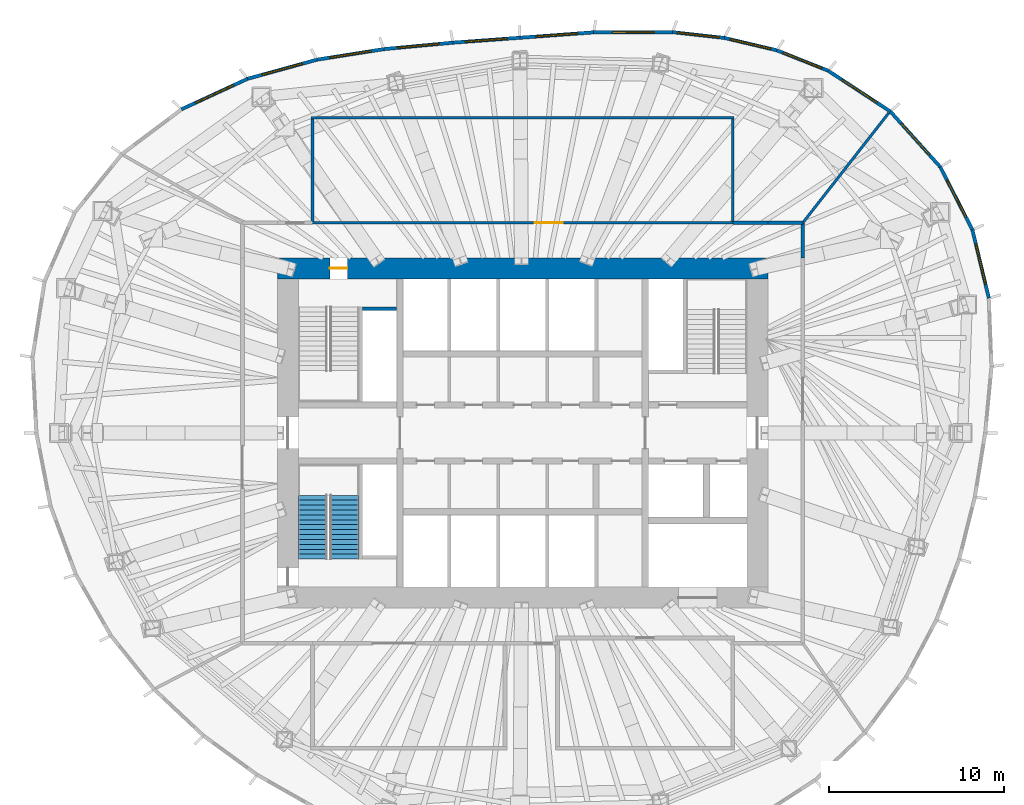
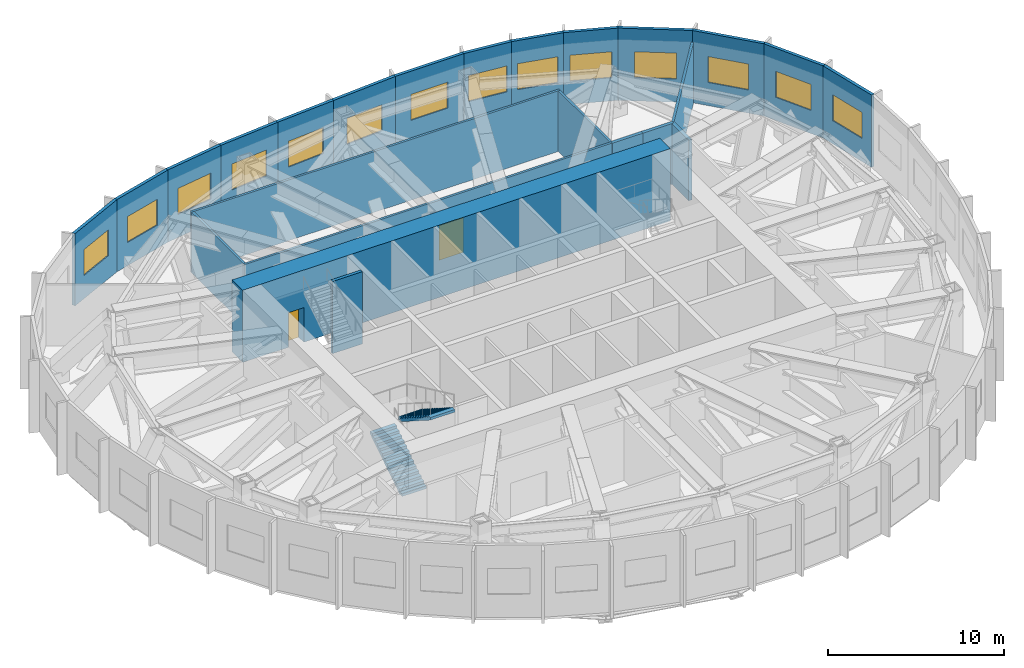
# One storey, part 9 of 11: 24 walls, 14 windows, 2 doors, 2 stair flights, 16 openings, 1 element without a shape of its own.
"""IFC4 building model written with IfcOpenShell, lengths in metres."""

from ifc_helpers import new_model, si_unit, direction, frame, frame_2d, origin, place, context, subcontext, project, spatial, polyline, rectangle, outline, extrude, material, layer, layer_set, type_object, element, fill, aggregate, save


model = new_model("IFC4")

# Units and contexts
model_context = context("Model", 3, precision=1e-05, world=origin(), true_north=direction((0.0, 1.0)))
body_context = subcontext(model_context, "Body", "Model", "MODEL_VIEW")
ifc_project = project(units=[si_unit("LENGTHUNIT", "METRE"), si_unit("AREAUNIT", "SQUARE_METRE"), si_unit("VOLUMEUNIT", "CUBIC_METRE"), si_unit("PLANEANGLEUNIT", "RADIAN"), si_unit("MASSUNIT", "GRAM", prefix="KILO")], contexts=[model_context])

# Site, building, storey
site_placement = place(None, origin())
site = spatial("IfcSite", under=ifc_project, at=site_placement, CompositionType="ELEMENT")
building_placement = place(site_placement, origin())
building = spatial("IfcBuilding", under=site, at=building_placement, Name="Ghaith Harvest Tower", CompositionType="ELEMENT")
storey_placement = place(building_placement, frame((0.0, 0.0, 266.199951171875)))
storey = spatial("IfcBuildingStorey", under=building, at=storey_placement, Name="L59", CompositionType="ELEMENT", Elevation=266.199951171875)

# Walls
ifc_material_1 = material(Name="Concrete blockwork, 1-hour", Category="masonry")
ifc_layer_1 = layer(ifc_material_1, 0.215087890625)
ifc_layer_set_1 = layer_set([ifc_layer_1], Name="BLOCKWORK WALL 215")
wall_type_1 = type_object("IfcWallType", Name="BLOCKWORK WALL 215", PredefinedType="PARTITIONING", material=ifc_layer_set_1)
for number, where, z_axis, x_axis, name in (
    (1, (16.0, 12.0, 0.0), (0.0, 0.0, 1.0), (-1.0, 0.0, 0.0), "Plant room wall L59"),
    (2, (14.0, 12.0, 0.0), (0.0, 0.0, 1.0), (-1.0, 0.0, 0.0), "Plant room wall L59"),
    (3, (16.0, 10.0, 0.0), (0.0, 0.0, 1.0), (0.0, 1.0, 0.0), "Plant room wall L59"),
):
    element("IfcWall", number, at=place(storey_placement, frame(where, z_axis=z_axis, x_axis=x_axis)), inside=storey, type_object=wall_type_1, Name=name, PredefinedType="PARTITIONING", context=body_context, shape_type="SweptSolid", body=[
        extrude(rectangle(XDim=2.0, YDim=0.215087890625, at=frame_2d((1.0, 0.0))), origin(), (0.0, 0.0, 1.0), 4.199951171875),
    ])

# Wall, opening, door
ifc_material_2 = material(Name="Concrete C60/75", Category="concrete")
ifc_layer_2 = layer(ifc_material_2, 1.199951171875)
ifc_layer_set_2 = layer_set([ifc_layer_2], Name="CORE WALL CW1200 C60")
wall_type_2 = type_object("IfcWallType", Name="CORE WALL CW1200 C60", PredefinedType="SHEAR", material=ifc_layer_set_2)
wall_1_placement = place(storey_placement, frame((14.0, 9.39990234375, 0.0), z_axis=(0.0, 0.0, 1.0), x_axis=(-1.0, 0.0, 0.0)))
wall_1 = element("IfcWall", 4, at=wall_1_placement, inside=storey, type_object=wall_type_2, Name="Core wall N L59", PredefinedType="SHEAR", context=body_context, shape_type="SweptSolid", body=[
    extrude(rectangle(XDim=28.0, YDim=1.199951171875, at=frame_2d((14.0, 0.0))), origin(), (0.0, 0.0, 1.0), 5.0),
])
opening_1_placement = place(wall_1_placement, frame((24.0, 0.0, 0.0)))
opening_1 = element("IfcOpeningElement", 5, at=opening_1_placement, cuts=wall_1, Name="Opening 59-005", PredefinedType="OPENING", context=body_context, shape_type="SweptSolid", body=[
    extrude(rectangle(XDim=1.0, YDim=2.39990234375, at=frame_2d((0.5, 1.199951171875))), frame((0.0, 0.60986328125, 0.0), z_axis=(0.0, -1.0, 0.0), x_axis=(1.0, 0.0, 0.0)), (0.0, 0.0, 1.0), 1.219970703125),
])
ifc_material_3 = material(Name="Steel fire door", Category="steel")
door_type_1 = type_object("IfcDoorType", Name="D3 FD90 1000x2400", OperationType="SINGLE_SWING_LEFT", PredefinedType="DOOR", material=ifc_material_3)
door_1_placement = place(opening_1_placement, origin())
door_1 = element("IfcDoor", 6, at=door_1_placement, inside=storey, type_object=door_type_1, Name="Stair ST1 door", OperationType="SINGLE_SWING_RIGHT", OverallHeight=2.39990234375, OverallWidth=1.0, PredefinedType="DOOR", context=body_context, shape_type="SweptSolid", body=[
    extrude(rectangle(XDim=1.0, YDim=2.39990234375, at=frame_2d((0.5, 1.199951171875))), frame((0.0, 0.02490234375, 0.0), z_axis=(0.0, -1.0, 0.0), x_axis=(1.0, 0.0, 0.0)), (0.0, 0.0, 1.0), 0.050048828125),
])
fill(opening_1, door_1)

# Wall
ifc_material_4 = material(Name="Gypsum board on steel studs", Category="steel")
ifc_layer_3 = layer(ifc_material_4, 0.14990234375)
ifc_layer_set_3 = layer_set([ifc_layer_3], Name="PARTITION 150")
wall_type_3 = type_object("IfcWallType", Name="PARTITION 150", PredefinedType="PARTITIONING", material=ifc_layer_set_3)
wall_2_placement = place(storey_placement, frame((16.01220703125, 12.015625, 0.0), z_axis=(0.0, 0.0, 1.0), x_axis=(0.616030058222, 0.787722646219, 0.0)))
element("IfcWall", 7, at=wall_2_placement, inside=storey, type_object=wall_type_3, Name="Partition L59 zone division", PredefinedType="PARTITIONING", context=body_context, shape_type="SweptSolid", body=[
    extrude(rectangle(XDim=7.95166015625, YDim=0.14990234375, at=frame_2d((3.975830078125, 0.0))), origin(), (0.0, 0.0, 1.0), 4.199951171875),
])

# Wall, opening, door
wall_3_placement = place(storey_placement, frame((-12.074951171875, 12.0, 0.0), z_axis=(0.0, 0.0, 1.0), x_axis=(1.0, 0.0, 0.0)))
wall_3 = element("IfcWall", 8, at=wall_3_placement, inside=storey, type_object=wall_type_3, Name="Partition L59-01", PredefinedType="PARTITIONING", context=body_context, shape_type="SweptSolid", body=[
    extrude(rectangle(XDim=24.14990234375, YDim=0.14990234375, at=frame_2d((12.074951171875, 0.0))), origin(), (0.0, 0.0, 1.0), 4.199951171875),
])
opening_2_placement = place(wall_3_placement, frame((12.77490234375, 0.0, 0.0)))
opening_2 = element("IfcOpeningElement", 9, at=opening_2_placement, cuts=wall_3, Name="Opening 59-021", PredefinedType="OPENING", context=body_context, shape_type="SweptSolid", body=[
    extrude(rectangle(XDim=1.60009765625, YDim=2.39990234375, at=frame_2d((0.800048828125, 1.199951171875))), frame((0.0, 0.0849609375, 0.0), z_axis=(0.0, -1.0, 0.0), x_axis=(1.0, 0.0, 0.0)), (0.0, 0.0, 1.0), 0.169921875),
])
ifc_material_5 = material(Name="Timber door", Category="wood")
door_type_2 = type_object("IfcDoorType", Name="D2 PAIR 1600x2400", OperationType="DOUBLE_DOOR_SINGLE_SWING", PredefinedType="DOOR", material=ifc_material_5)
door_2_placement = place(opening_2_placement, origin())
door_2 = element("IfcDoor", 10, at=door_2_placement, inside=storey, type_object=door_type_2, Name="Refuge area door", OperationType="DOUBLE_DOOR_SINGLE_SWING", OverallHeight=2.39990234375, OverallWidth=1.60009765625, PredefinedType="DOOR", context=body_context, shape_type="SweptSolid", body=[
    extrude(rectangle(XDim=1.60009765625, YDim=2.39990234375, at=frame_2d((0.800048828125, 1.199951171875))), frame((0.0, 0.02490234375, 0.0), z_axis=(0.0, -1.0, 0.0), x_axis=(1.0, 0.0, 0.0)), (0.0, 0.0, 1.0), 0.050048828125),
])
fill(opening_2, door_2)

# Walls
wall_4_placement = place(storey_placement, frame((-12.074951171875, 18.0, 0.0), z_axis=(0.0, 0.0, 1.0), x_axis=(1.0, 0.0, 0.0)))
element("IfcWall", 11, at=wall_4_placement, inside=storey, type_object=wall_type_3, Name="Partition L59-01", PredefinedType="PARTITIONING", context=body_context, shape_type="SweptSolid", body=[
    extrude(rectangle(XDim=24.14990234375, YDim=0.14990234375, at=frame_2d((12.074951171875, 0.0))), origin(), (0.0, 0.0, 1.0), 4.199951171875),
])
for number, where, z_axis, x_axis, name in (
    (12, (-12.0, 12.074951171875, 0.0), (0.0, 0.0, 1.0), (0.0, 1.0, 0.0), "Partition L59-01"),
    (13, (12.0, 12.074951171875, 0.0), (0.0, 0.0, 1.0), (0.0, 1.0, 0.0), "Partition L59-01"),
):
    element("IfcWall", number, at=place(storey_placement, frame(where, z_axis=z_axis, x_axis=x_axis)), inside=storey, type_object=wall_type_3, Name=name, PredefinedType="PARTITIONING", context=body_context, shape_type="SweptSolid", body=[
        extrude(rectangle(XDim=5.85009765625, YDim=0.14990234375, at=frame_2d((2.925048828125, 0.0))), origin(), (0.0, 0.0, 1.0), 4.199951171875),
    ])

# Wall, opening, window
ifc_material_6 = material(Name="Steel, black insulated metal cladding panel", Category="steel")
ifc_layer_4 = layer(ifc_material_6, 0.199951171875)
ifc_layer_set_4 = layer_set([ifc_layer_4], Name="PLANT ENCLOSURE WALL 200")
wall_type_4 = type_object("IfcWallType", Name="PLANT ENCLOSURE WALL 200", PredefinedType="SOLIDWALL", material=ifc_layer_set_4)
wall_5_placement = place(storey_placement, frame((26.627197265625, 7.69580078125, 0.0), z_axis=(0.0, 0.0, 1.0), x_axis=(-0.233821660116, 0.972279502643, 0.0)))
wall_5 = element("IfcWall", 14, at=wall_5_placement, inside=storey, type_object=wall_type_4, Name="Plant enclosure wall 02.1 L59", PredefinedType="SOLIDWALL", context=body_context, shape_type="SweptSolid", body=[
    extrude(rectangle(XDim=4.0126953125, YDim=0.199951171875, at=frame_2d((2.00634765625, 0.0))), origin(), (0.0, 0.0, 1.0), 5.0),
])
opening_3_placement = place(wall_5_placement, frame((0.806396484375, 0.0, 1.60009765625)))
opening_3 = element("IfcOpeningElement", 15, at=opening_3_placement, cuts=wall_5, Name="Opening LV1", PredefinedType="OPENING", context=body_context, shape_type="SweptSolid", body=[
    extrude(rectangle(XDim=2.39990234375, YDim=1.800048828125, at=frame_2d((1.199951171875, 0.89990234375))), frame((0.0, 0.10986328125, 0.0), z_axis=(0.0, -1.0, 0.0), x_axis=(1.0, 0.0, 0.0)), (0.0, 0.0, 1.0), 0.219970703125),
])
ifc_material_7 = material(Name="Aluminium louvre, black", Category="aluminium")
window_type = type_object("IfcWindowType", Name="LOUVRE L1 2400x1800", PartitioningType="SINGLE_PANEL", PredefinedType="WINDOW", material=ifc_material_7)
window_1_placement = place(opening_3_placement, origin())
window_1 = element("IfcWindow", 16, at=window_1_placement, inside=storey, type_object=window_type, Name="Plant louvre 02.1 L59", OverallHeight=1.800048828125, OverallWidth=2.39990234375, PartitioningType="SINGLE_PANEL", PredefinedType="WINDOW", context=body_context, shape_type="SweptSolid", body=[
    extrude(rectangle(XDim=2.39990234375, YDim=1.800048828125, at=frame_2d((1.199951171875, 0.89990234375))), frame((0.0, 0.030029296875, 0.0), z_axis=(0.0, -1.0, 0.0), x_axis=(1.0, 0.0, 0.0)), (0.0, 0.0, 1.0), 0.06005859375),
])
fill(opening_3, window_1)

wall_6_placement = place(storey_placement, frame((25.68896484375, 11.59716796875, 0.0), z_axis=(0.0, 0.0, 1.0), x_axis=(-0.454861059602, 0.890562415813, 0.0)))
wall_6 = element("IfcWall", 17, at=wall_6_placement, inside=storey, type_object=wall_type_4, Name="Plant enclosure wall 02.2 L59", PredefinedType="SOLIDWALL", context=body_context, shape_type="SweptSolid", body=[
    extrude(rectangle(XDim=4.026611328125, YDim=0.199951171875, at=frame_2d((2.01318359375, 0.0))), origin(), (0.0, 0.0, 1.0), 5.0),
])
opening_4_placement = place(wall_6_placement, frame((0.813232421875, 0.0, 1.60009765625)))
opening_4 = element("IfcOpeningElement", 18, at=opening_4_placement, cuts=wall_6, Name="Opening LV1", PredefinedType="OPENING", context=body_context, shape_type="SweptSolid", body=[
    extrude(rectangle(XDim=2.39990234375, YDim=1.800048828125, at=frame_2d((1.199951171875, 0.89990234375))), frame((0.0, 0.10986328125, 0.0), z_axis=(0.0, -1.0, 0.0), x_axis=(1.0, 0.0, 0.0)), (0.0, 0.0, 1.0), 0.219970703125),
])
window_2_placement = place(opening_4_placement, origin())
window_2 = element("IfcWindow", 19, at=window_2_placement, inside=storey, type_object=window_type, Name="Plant louvre 02.2 L59", OverallHeight=1.800048828125, OverallWidth=2.39990234375, PartitioningType="SINGLE_PANEL", PredefinedType="WINDOW", context=body_context, shape_type="SweptSolid", body=[
    extrude(rectangle(XDim=2.39990234375, YDim=1.800048828125, at=frame_2d((1.199951171875, 0.89990234375))), frame((0.0, 0.030029296875, 0.0), z_axis=(0.0, -1.0, 0.0), x_axis=(1.0, 0.0, 0.0)), (0.0, 0.0, 1.0), 0.06005859375),
])
fill(opening_4, window_2)

wall_7_placement = place(storey_placement, frame((23.857421875, 15.18310546875, 0.0), z_axis=(0.0, 0.0, 1.0), x_axis=(-0.668829041981, 0.743416244511, 0.0)))
wall_7 = element("IfcWall", 20, at=wall_7_placement, inside=storey, type_object=wall_type_4, Name="Plant enclosure wall 03.1 L59", PredefinedType="SOLIDWALL", context=body_context, shape_type="SweptSolid", body=[
    extrude(rectangle(XDim=4.27490234375, YDim=0.199951171875, at=frame_2d((2.137451171875, 0.0))), origin(), (0.0, 0.0, 1.0), 5.0),
])
opening_5_placement = place(wall_7_placement, frame((0.9375, 0.0, 1.60009765625)))
opening_5 = element("IfcOpeningElement", 21, at=opening_5_placement, cuts=wall_7, Name="Opening LV1", PredefinedType="OPENING", context=body_context, shape_type="SweptSolid", body=[
    extrude(rectangle(XDim=2.39990234375, YDim=1.800048828125, at=frame_2d((1.199951171875, 0.89990234375))), frame((0.0, 0.10986328125, 0.0), z_axis=(0.0, -1.0, 0.0), x_axis=(1.0, 0.0, 0.0)), (0.0, 0.0, 1.0), 0.219970703125),
])
window_3_placement = place(opening_5_placement, origin())
window_3 = element("IfcWindow", 22, at=window_3_placement, inside=storey, type_object=window_type, Name="Plant louvre 03.1 L59", OverallHeight=1.800048828125, OverallWidth=2.39990234375, PartitioningType="SINGLE_PANEL", PredefinedType="WINDOW", context=body_context, shape_type="SweptSolid", body=[
    extrude(rectangle(XDim=2.39990234375, YDim=1.800048828125, at=frame_2d((1.199951171875, 0.89990234375))), frame((0.0, 0.030029296875, 0.0), z_axis=(0.0, -1.0, 0.0), x_axis=(1.0, 0.0, 0.0)), (0.0, 0.0, 1.0), 0.06005859375),
])
fill(opening_5, window_3)

wall_8_placement = place(storey_placement, frame((20.998291015625, 18.361083984375, 0.0), z_axis=(0.0, 0.0, 1.0), x_axis=(-0.836341158718, 0.548209327023, 0.0)))
wall_8 = element("IfcWall", 23, at=wall_8_placement, inside=storey, type_object=wall_type_4, Name="Plant enclosure wall 03.2 L59", PredefinedType="SOLIDWALL", context=body_context, shape_type="SweptSolid", body=[
    extrude(rectangle(XDim=4.246826171875, YDim=0.199951171875, at=frame_2d((2.12353515625, 0.0))), origin(), (0.0, 0.0, 1.0), 5.0),
])
opening_6_placement = place(wall_8_placement, frame((0.92333984375, 0.0, 1.60009765625)))
opening_6 = element("IfcOpeningElement", 24, at=opening_6_placement, cuts=wall_8, Name="Opening LV1", PredefinedType="OPENING", context=body_context, shape_type="SweptSolid", body=[
    extrude(rectangle(XDim=2.39990234375, YDim=1.800048828125, at=frame_2d((1.199951171875, 0.89990234375))), frame((0.0, 0.10986328125, 0.0), z_axis=(0.0, -1.0, 0.0), x_axis=(1.0, 0.0, 0.0)), (0.0, 0.0, 1.0), 0.219970703125),
])
window_4_placement = place(opening_6_placement, origin())
window_4 = element("IfcWindow", 25, at=window_4_placement, inside=storey, type_object=window_type, Name="Plant louvre 03.2 L59", OverallHeight=1.800048828125, OverallWidth=2.39990234375, PartitioningType="SINGLE_PANEL", PredefinedType="WINDOW", context=body_context, shape_type="SweptSolid", body=[
    extrude(rectangle(XDim=2.39990234375, YDim=1.800048828125, at=frame_2d((1.199951171875, 0.89990234375))), frame((0.0, 0.030029296875, 0.0), z_axis=(0.0, -1.0, 0.0), x_axis=(1.0, 0.0, 0.0)), (0.0, 0.0, 1.0), 0.06005859375),
])
fill(opening_6, window_4)

wall_9_placement = place(storey_placement, frame((17.446533203125, 20.689208984375, 0.0), z_axis=(0.0, 0.0, 1.0), x_axis=(-0.929201006975, 0.369574740257, 0.0)))
wall_9 = element("IfcWall", 26, at=wall_9_placement, inside=storey, type_object=wall_type_4, Name="Plant enclosure wall 04.1 L59", PredefinedType="SOLIDWALL", context=body_context, shape_type="SweptSolid", body=[
    extrude(rectangle(XDim=3.15380859375, YDim=0.199951171875, at=frame_2d((1.576904296875, 0.0))), origin(), (0.0, 0.0, 1.0), 5.0),
])
opening_7_placement = place(wall_9_placement, frame((0.376708984375, 0.0, 1.60009765625)))
opening_7 = element("IfcOpeningElement", 27, at=opening_7_placement, cuts=wall_9, Name="Opening LV1", PredefinedType="OPENING", context=body_context, shape_type="SweptSolid", body=[
    extrude(rectangle(XDim=2.39990234375, YDim=1.800048828125, at=frame_2d((1.199951171875, 0.89990234375))), frame((0.0, 0.10986328125, 0.0), z_axis=(0.0, -1.0, 0.0), x_axis=(1.0, 0.0, 0.0)), (0.0, 0.0, 1.0), 0.219970703125),
])
window_5_placement = place(opening_7_placement, origin())
window_5 = element("IfcWindow", 28, at=window_5_placement, inside=storey, type_object=window_type, Name="Plant louvre 04.1 L59", OverallHeight=1.800048828125, OverallWidth=2.39990234375, PartitioningType="SINGLE_PANEL", PredefinedType="WINDOW", context=body_context, shape_type="SweptSolid", body=[
    extrude(rectangle(XDim=2.39990234375, YDim=1.800048828125, at=frame_2d((1.199951171875, 0.89990234375))), frame((0.0, 0.030029296875, 0.0), z_axis=(0.0, -1.0, 0.0), x_axis=(1.0, 0.0, 0.0)), (0.0, 0.0, 1.0), 0.06005859375),
])
fill(opening_7, window_5)

wall_10_placement = place(storey_placement, frame((14.51611328125, 21.854736328125, 0.0), z_axis=(0.0, 0.0, 1.0), x_axis=(-0.973318327134, 0.229459003017, 0.0)))
wall_10 = element("IfcWall", 29, at=wall_10_placement, inside=storey, type_object=wall_type_4, Name="Plant enclosure wall 04.2 L59", PredefinedType="SOLIDWALL", context=body_context, shape_type="SweptSolid", body=[
    extrude(rectangle(XDim=3.080322265625, YDim=0.199951171875, at=frame_2d((1.5400390625, 0.0))), origin(), (0.0, 0.0, 1.0), 5.0),
])
opening_8_placement = place(wall_10_placement, frame((0.340087890625, 0.0, 1.60009765625)))
opening_8 = element("IfcOpeningElement", 30, at=opening_8_placement, cuts=wall_10, Name="Opening LV1", PredefinedType="OPENING", context=body_context, shape_type="SweptSolid", body=[
    extrude(rectangle(XDim=2.39990234375, YDim=1.800048828125, at=frame_2d((1.199951171875, 0.89990234375))), frame((0.0, 0.10986328125, 0.0), z_axis=(0.0, -1.0, 0.0), x_axis=(1.0, 0.0, 0.0)), (0.0, 0.0, 1.0), 0.219970703125),
])
window_6_placement = place(opening_8_placement, origin())
window_6 = element("IfcWindow", 31, at=window_6_placement, inside=storey, type_object=window_type, Name="Plant louvre 04.2 L59", OverallHeight=1.800048828125, OverallWidth=2.39990234375, PartitioningType="SINGLE_PANEL", PredefinedType="WINDOW", context=body_context, shape_type="SweptSolid", body=[
    extrude(rectangle(XDim=2.39990234375, YDim=1.800048828125, at=frame_2d((1.199951171875, 0.89990234375))), frame((0.0, 0.030029296875, 0.0), z_axis=(0.0, -1.0, 0.0), x_axis=(1.0, 0.0, 0.0)), (0.0, 0.0, 1.0), 0.06005859375),
])
fill(opening_8, window_6)

wall_11_placement = place(storey_placement, frame((11.51806640625, 22.5615234375, 0.0), z_axis=(0.0, 0.0, 1.0), x_axis=(-0.993887731905, 0.110395545055, 0.0)))
wall_11 = element("IfcWall", 32, at=wall_11_placement, inside=storey, type_object=wall_type_4, Name="Plant enclosure wall 04.3 L59", PredefinedType="SOLIDWALL", context=body_context, shape_type="SweptSolid", body=[
    extrude(rectangle(XDim=2.97900390625, YDim=0.199951171875, at=frame_2d((1.489501953125, 0.0))), origin(), (0.0, 0.0, 1.0), 5.0),
])
opening_9_placement = place(wall_11_placement, frame((0.28955078125, 0.0, 1.60009765625)))
opening_9 = element("IfcOpeningElement", 33, at=opening_9_placement, cuts=wall_11, Name="Opening LV1", PredefinedType="OPENING", context=body_context, shape_type="SweptSolid", body=[
    extrude(rectangle(XDim=2.39990234375, YDim=1.800048828125, at=frame_2d((1.199951171875, 0.89990234375))), frame((0.0, 0.10986328125, 0.0), z_axis=(0.0, -1.0, 0.0), x_axis=(1.0, 0.0, 0.0)), (0.0, 0.0, 1.0), 0.219970703125),
])
window_7_placement = place(opening_9_placement, origin())
window_7 = element("IfcWindow", 34, at=window_7_placement, inside=storey, type_object=window_type, Name="Plant louvre 04.3 L59", OverallHeight=1.800048828125, OverallWidth=2.39990234375, PartitioningType="SINGLE_PANEL", PredefinedType="WINDOW", context=body_context, shape_type="SweptSolid", body=[
    extrude(rectangle(XDim=2.39990234375, YDim=1.800048828125, at=frame_2d((1.199951171875, 0.89990234375))), frame((0.0, 0.030029296875, 0.0), z_axis=(0.0, -1.0, 0.0), x_axis=(1.0, 0.0, 0.0)), (0.0, 0.0, 1.0), 0.06005859375),
])
fill(opening_9, window_7)

wall_12_placement = place(storey_placement, frame((8.557373046875, 22.890380859375, 0.0), z_axis=(0.0, 0.0, 1.0), x_axis=(-0.999997152617, -0.002386369168, 0.0)))
wall_12 = element("IfcWall", 35, at=wall_12_placement, inside=storey, type_object=wall_type_4, Name="Plant enclosure wall 05.1 L59", PredefinedType="SOLIDWALL", context=body_context, shape_type="SweptSolid", body=[
    extrude(rectangle(XDim=4.50146484375, YDim=0.199951171875, at=frame_2d((2.250732421875, 0.0))), origin(), (0.0, 0.0, 1.0), 5.0),
])
opening_10_placement = place(wall_12_placement, frame((1.050537109375, 0.0, 1.60009765625)))
opening_10 = element("IfcOpeningElement", 36, at=opening_10_placement, cuts=wall_12, Name="Opening LV1", PredefinedType="OPENING", context=body_context, shape_type="SweptSolid", body=[
    extrude(rectangle(XDim=2.39990234375, YDim=1.800048828125, at=frame_2d((1.199951171875, 0.89990234375))), frame((0.0, 0.10986328125, 0.0), z_axis=(0.0, -1.0, 0.0), x_axis=(1.0, 0.0, 0.0)), (0.0, 0.0, 1.0), 0.219970703125),
])
window_8_placement = place(opening_10_placement, origin())
window_8 = element("IfcWindow", 37, at=window_8_placement, inside=storey, type_object=window_type, Name="Plant louvre 05.1 L59", OverallHeight=1.800048828125, OverallWidth=2.39990234375, PartitioningType="SINGLE_PANEL", PredefinedType="WINDOW", context=body_context, shape_type="SweptSolid", body=[
    extrude(rectangle(XDim=2.39990234375, YDim=1.800048828125, at=frame_2d((1.199951171875, 0.89990234375))), frame((0.0, 0.030029296875, 0.0), z_axis=(0.0, -1.0, 0.0), x_axis=(1.0, 0.0, 0.0)), (0.0, 0.0, 1.0), 0.06005859375),
])
fill(opening_10, window_8)

wall_13_placement = place(storey_placement, frame((4.055908203125, 22.879638671875, 0.0), z_axis=(0.0, 0.0, 1.0), x_axis=(-0.997316449739, -0.073211331635, 0.0)))
wall_13 = element("IfcWall", 38, at=wall_13_placement, inside=storey, type_object=wall_type_4, Name="Plant enclosure wall 05.2 L59", PredefinedType="SOLIDWALL", context=body_context, shape_type="SweptSolid", body=[
    extrude(rectangle(XDim=4.2216796875, YDim=0.199951171875, at=frame_2d((2.11083984375, 0.0))), origin(), (0.0, 0.0, 1.0), 5.0),
])
opening_11_placement = place(wall_13_placement, frame((0.910888671875, 0.0, 1.60009765625)))
opening_11 = element("IfcOpeningElement", 39, at=opening_11_placement, cuts=wall_13, Name="Opening LV1", PredefinedType="OPENING", context=body_context, shape_type="SweptSolid", body=[
    extrude(rectangle(XDim=2.39990234375, YDim=1.800048828125, at=frame_2d((1.199951171875, 0.89990234375))), frame((0.0, 0.10986328125, 0.0), z_axis=(0.0, -1.0, 0.0), x_axis=(1.0, 0.0, 0.0)), (0.0, 0.0, 1.0), 0.219970703125),
])
window_9_placement = place(opening_11_placement, origin())
window_9 = element("IfcWindow", 40, at=window_9_placement, inside=storey, type_object=window_type, Name="Plant louvre 05.2 L59", OverallHeight=1.800048828125, OverallWidth=2.39990234375, PartitioningType="SINGLE_PANEL", PredefinedType="WINDOW", context=body_context, shape_type="SweptSolid", body=[
    extrude(rectangle(XDim=2.39990234375, YDim=1.800048828125, at=frame_2d((1.199951171875, 0.89990234375))), frame((0.0, 0.030029296875, 0.0), z_axis=(0.0, -1.0, 0.0), x_axis=(1.0, 0.0, 0.0)), (0.0, 0.0, 1.0), 0.06005859375),
])
fill(opening_11, window_9)

wall_14_placement = place(storey_placement, frame((-0.154541015625, 22.570556640625, 0.0), z_axis=(0.0, 0.0, 1.0), x_axis=(-0.997332480814, -0.072992620948, 0.0)))
wall_14 = element("IfcWall", 41, at=wall_14_placement, inside=storey, type_object=wall_type_4, Name="Plant enclosure wall 06.1 L59", PredefinedType="SOLIDWALL", context=body_context, shape_type="SweptSolid", body=[
    extrude(rectangle(XDim=3.83642578125, YDim=0.199951171875, at=frame_2d((1.918212890625, 0.0))), origin(), (0.0, 0.0, 1.0), 5.0),
])
opening_12_placement = place(wall_14_placement, frame((0.71826171875, 0.0, 1.60009765625)))
opening_12 = element("IfcOpeningElement", 42, at=opening_12_placement, cuts=wall_14, Name="Opening LV1", PredefinedType="OPENING", context=body_context, shape_type="SweptSolid", body=[
    extrude(rectangle(XDim=2.39990234375, YDim=1.800048828125, at=frame_2d((1.199951171875, 0.89990234375))), frame((0.0, 0.10986328125, 0.0), z_axis=(0.0, -1.0, 0.0), x_axis=(1.0, 0.0, 0.0)), (0.0, 0.0, 1.0), 0.219970703125),
])
window_10_placement = place(opening_12_placement, origin())
window_10 = element("IfcWindow", 43, at=window_10_placement, inside=storey, type_object=window_type, Name="Plant louvre 06.1 L59", OverallHeight=1.800048828125, OverallWidth=2.39990234375, PartitioningType="SINGLE_PANEL", PredefinedType="WINDOW", context=body_context, shape_type="SweptSolid", body=[
    extrude(rectangle(XDim=2.39990234375, YDim=1.800048828125, at=frame_2d((1.199951171875, 0.89990234375))), frame((0.0, 0.030029296875, 0.0), z_axis=(0.0, -1.0, 0.0), x_axis=(1.0, 0.0, 0.0)), (0.0, 0.0, 1.0), 0.06005859375),
])
fill(opening_12, window_10)

wall_15_placement = place(storey_placement, frame((-3.980712890625, 22.29052734375, 0.0), z_axis=(0.0, 0.0, 1.0), x_axis=(-0.995650348953, -0.093168571039, 0.0)))
wall_15 = element("IfcWall", 44, at=wall_15_placement, inside=storey, type_object=wall_type_4, Name="Plant enclosure wall 06.2 L59", PredefinedType="SOLIDWALL", context=body_context, shape_type="SweptSolid", body=[
    extrude(rectangle(XDim=3.9541015625, YDim=0.199951171875, at=frame_2d((1.97705078125, 0.0))), origin(), (0.0, 0.0, 1.0), 5.0),
])
opening_13_placement = place(wall_15_placement, frame((0.777099609375, 0.0, 1.60009765625)))
opening_13 = element("IfcOpeningElement", 45, at=opening_13_placement, cuts=wall_15, Name="Opening LV1", PredefinedType="OPENING", context=body_context, shape_type="SweptSolid", body=[
    extrude(rectangle(XDim=2.39990234375, YDim=1.800048828125, at=frame_2d((1.199951171875, 0.89990234375))), frame((0.0, 0.10986328125, 0.0), z_axis=(0.0, -1.0, 0.0), x_axis=(1.0, 0.0, 0.0)), (0.0, 0.0, 1.0), 0.219970703125),
])
window_11_placement = place(opening_13_placement, origin())
window_11 = element("IfcWindow", 46, at=window_11_placement, inside=storey, type_object=window_type, Name="Plant louvre 06.2 L59", OverallHeight=1.800048828125, OverallWidth=2.39990234375, PartitioningType="SINGLE_PANEL", PredefinedType="WINDOW", context=body_context, shape_type="SweptSolid", body=[
    extrude(rectangle(XDim=2.39990234375, YDim=1.800048828125, at=frame_2d((1.199951171875, 0.89990234375))), frame((0.0, 0.030029296875, 0.0), z_axis=(0.0, -1.0, 0.0), x_axis=(1.0, 0.0, 0.0)), (0.0, 0.0, 1.0), 0.06005859375),
])
fill(opening_13, window_11)

wall_16_placement = place(storey_placement, frame((-7.917724609375, 21.922119140625, 0.0), z_axis=(0.0, 0.0, 1.0), x_axis=(-0.987799234744, -0.155732693548, 0.0)))
wall_16 = element("IfcWall", 47, at=wall_16_placement, inside=storey, type_object=wall_type_4, Name="Plant enclosure wall 07.1 L59", PredefinedType="SOLIDWALL", context=body_context, shape_type="SweptSolid", body=[
    extrude(rectangle(XDim=3.872314453125, YDim=0.199951171875, at=frame_2d((1.93603515625, 0.0))), origin(), (0.0, 0.0, 1.0), 5.0),
])
opening_14_placement = place(wall_16_placement, frame((0.736083984375, 0.0, 1.60009765625)))
opening_14 = element("IfcOpeningElement", 48, at=opening_14_placement, cuts=wall_16, Name="Opening LV1", PredefinedType="OPENING", context=body_context, shape_type="SweptSolid", body=[
    extrude(rectangle(XDim=2.39990234375, YDim=1.800048828125, at=frame_2d((1.199951171875, 0.89990234375))), frame((0.0, 0.10986328125, 0.0), z_axis=(0.0, -1.0, 0.0), x_axis=(1.0, 0.0, 0.0)), (0.0, 0.0, 1.0), 0.219970703125),
])
window_12_placement = place(opening_14_placement, origin())
window_12 = element("IfcWindow", 49, at=window_12_placement, inside=storey, type_object=window_type, Name="Plant louvre 07.1 L59", OverallHeight=1.800048828125, OverallWidth=2.39990234375, PartitioningType="SINGLE_PANEL", PredefinedType="WINDOW", context=body_context, shape_type="SweptSolid", body=[
    extrude(rectangle(XDim=2.39990234375, YDim=1.800048828125, at=frame_2d((1.199951171875, 0.89990234375))), frame((0.0, 0.030029296875, 0.0), z_axis=(0.0, -1.0, 0.0), x_axis=(1.0, 0.0, 0.0)), (0.0, 0.0, 1.0), 0.06005859375),
])
fill(opening_14, window_12)

wall_17_placement = place(storey_placement, frame((-11.74267578125, 21.319091796875, 0.0), z_axis=(0.0, 0.0, 1.0), x_axis=(-0.964089607421, -0.265577161786, 0.0)))
wall_17 = element("IfcWall", 50, at=wall_17_placement, inside=storey, type_object=wall_type_4, Name="Plant enclosure wall 07.2 L59", PredefinedType="SOLIDWALL", context=body_context, shape_type="SweptSolid", body=[
    extrude(rectangle(XDim=4.11376953125, YDim=0.199951171875, at=frame_2d((2.056884765625, 0.0))), origin(), (0.0, 0.0, 1.0), 5.0),
])
opening_15_placement = place(wall_17_placement, frame((0.856689453125, 0.0, 1.60009765625)))
opening_15 = element("IfcOpeningElement", 51, at=opening_15_placement, cuts=wall_17, Name="Opening LV1", PredefinedType="OPENING", context=body_context, shape_type="SweptSolid", body=[
    extrude(rectangle(XDim=2.39990234375, YDim=1.800048828125, at=frame_2d((1.199951171875, 0.89990234375))), frame((0.0, 0.10986328125, 0.0), z_axis=(0.0, -1.0, 0.0), x_axis=(1.0, 0.0, 0.0)), (0.0, 0.0, 1.0), 0.219970703125),
])
window_13_placement = place(opening_15_placement, origin())
window_13 = element("IfcWindow", 52, at=window_13_placement, inside=storey, type_object=window_type, Name="Plant louvre 07.2 L59", OverallHeight=1.800048828125, OverallWidth=2.39990234375, PartitioningType="SINGLE_PANEL", PredefinedType="WINDOW", context=body_context, shape_type="SweptSolid", body=[
    extrude(rectangle(XDim=2.39990234375, YDim=1.800048828125, at=frame_2d((1.199951171875, 0.89990234375))), frame((0.0, 0.030029296875, 0.0), z_axis=(0.0, -1.0, 0.0), x_axis=(1.0, 0.0, 0.0)), (0.0, 0.0, 1.0), 0.06005859375),
])
fill(opening_15, window_13)

wall_18_placement = place(storey_placement, frame((-15.708740234375, 20.2265625, 0.0), z_axis=(0.0, 0.0, 1.0), x_axis=(-0.907931862941, -0.419117802362, 0.0)))
wall_18 = element("IfcWall", 53, at=wall_18_placement, inside=storey, type_object=wall_type_4, Name="Plant enclosure wall 08.1 L59", PredefinedType="SOLIDWALL", context=body_context, shape_type="SweptSolid", body=[
    extrude(rectangle(XDim=4.154541015625, YDim=0.199951171875, at=frame_2d((2.0771484375, 0.0))), origin(), (0.0, 0.0, 1.0), 5.0),
])
opening_16_placement = place(wall_18_placement, frame((0.877197265625, 0.0, 1.60009765625)))
opening_16 = element("IfcOpeningElement", 54, at=opening_16_placement, cuts=wall_18, Name="Opening LV1", PredefinedType="OPENING", context=body_context, shape_type="SweptSolid", body=[
    extrude(rectangle(XDim=2.39990234375, YDim=1.800048828125, at=frame_2d((1.199951171875, 0.89990234375))), frame((0.0, 0.10986328125, 0.0), z_axis=(0.0, -1.0, 0.0), x_axis=(1.0, 0.0, 0.0)), (0.0, 0.0, 1.0), 0.219970703125),
])
window_14_placement = place(opening_16_placement, origin())
window_14 = element("IfcWindow", 55, at=window_14_placement, inside=storey, type_object=window_type, Name="Plant louvre 08.1 L59", OverallHeight=1.800048828125, OverallWidth=2.39990234375, PartitioningType="SINGLE_PANEL", PredefinedType="WINDOW", context=body_context, shape_type="SweptSolid", body=[
    extrude(rectangle(XDim=2.39990234375, YDim=1.800048828125, at=frame_2d((1.199951171875, 0.89990234375))), frame((0.0, 0.030029296875, 0.0), z_axis=(0.0, -1.0, 0.0), x_axis=(1.0, 0.0, 0.0)), (0.0, 0.0, 1.0), 0.06005859375),
])
fill(opening_16, window_14)

# Wall
ifc_material_8 = material(Name="Concrete C40/50", Category="concrete")
ifc_layer_5 = layer(ifc_material_8, 0.199951171875)
ifc_layer_set_5 = layer_set([ifc_layer_5], Name="STAIR SPINE WALL RC200")
wall_type_5 = type_object("IfcWallType", Name="STAIR SPINE WALL RC200", PredefinedType="SOLIDWALL", material=ifc_layer_set_5)
wall_19_placement = place(storey_placement, frame((-9.14990234375, 7.10009765625, 0.0), z_axis=(0.0, 0.0, 1.0), x_axis=(1.0, 0.0, 0.0)))
element("IfcWall", 56, at=wall_19_placement, inside=storey, type_object=wall_type_5, Name="Stair ST1 spine wall return L59", PredefinedType="SOLIDWALL", context=body_context, shape_type="SweptSolid", body=[
    extrude(rectangle(XDim=1.949951171875, YDim=0.199951171875, at=frame_2d((0.97509765625, 0.0))), origin(), (0.0, 0.0, 1.0), 5.0),
])

# Stair, stair flights
ifc_material_9 = material(Name="Concrete C40/50, precast", Category="concrete")
stair_type = type_object("IfcStairType", Name="CORE STAIR 28R", PredefinedType="HALF_TURN_STAIR", material=ifc_material_9)
stair_placement = place(storey_placement, origin())
stair = element("IfcStair", 57, at=stair_placement, inside=storey, type_object=stair_type, Name="Stair ST3 L59", PredefinedType="HALF_TURN_STAIR")
ifc_material_10 = material(Name="Concrete C40/50, precast", Category="concrete")
stair_flight_type = type_object("IfcStairFlightType", Name="CORE FLIGHT 14R 1600", PredefinedType="STRAIGHT", material=ifc_material_10)
stair_flight_1_placement = place(storey_placement, frame((-12.0, -7.199951171875, 0.0), z_axis=(0.0, 0.0, 1.0), x_axis=(0.0, 1.0, 0.0)))
stair_flight_1 = element("IfcStairFlight", 58, at=stair_flight_1_placement, type_object=stair_flight_type, Name="ST3 flight 1", NumberOfRisers=14, NumberOfTreads=13, PredefinedType="STRAIGHT", RiserHeight=0.178571429, TreadLength=0.28, context=body_context, shape_type="SweptSolid", body=[
    extrude(outline(polyline([(0.0, 0.0), (0.0, 0.178466796875), (0.280029296875, 0.178466796875), (0.280029296875, 0.357177734375), (0.56005859375, 0.357177734375), (0.56005859375, 0.53564453125), (0.840087890625, 0.53564453125), (0.840087890625, 0.71435546875), (1.1201171875, 0.71435546875), (1.1201171875, 0.892822265625), (1.39990234375, 0.892822265625), (1.39990234375, 1.071533203125), (1.679931640625, 1.071533203125), (1.679931640625, 1.25), (1.9599609375, 1.25), (1.9599609375, 1.428466796875), (2.239990234375, 1.428466796875), (2.239990234375, 1.607177734375), (2.52001953125, 1.607177734375), (2.52001953125, 1.78564453125), (2.800048828125, 1.78564453125), (2.800048828125, 1.96435546875), (3.080078125, 1.96435546875), (3.080078125, 2.142822265625), (3.360107421875, 2.142822265625), (3.360107421875, 2.321533203125), (3.639892578125, 2.321533203125), (3.639892578125, 2.5), (3.639892578125, 2.1435546875), (0.27880859375, 0.0), (0.0, 0.0)])), frame((0.0, 0.800048828125, 0.0), z_axis=(0.0, -1.0, 0.0), x_axis=(1.0, 0.0, 0.0)), (0.0, 0.0, 1.0), 1.60009765625),
])
stair_flight_2_placement = place(storey_placement, frame((-10.14990234375, -3.56005859375, 2.5), z_axis=(0.0, 0.0, 1.0), x_axis=(0.0, -1.0, 0.0)))
stair_flight_2 = element("IfcStairFlight", 59, at=stair_flight_2_placement, type_object=stair_flight_type, Name="ST3 flight 2", NumberOfRisers=14, NumberOfTreads=13, PredefinedType="STRAIGHT", RiserHeight=0.178571429, TreadLength=0.28, context=body_context, shape_type="SweptSolid", body=[
    extrude(outline(polyline([(0.0, 0.0), (0.0, 0.178466796875), (0.280029296875, 0.178466796875), (0.280029296875, 0.357177734375), (0.56005859375, 0.357177734375), (0.56005859375, 0.53564453125), (0.840087890625, 0.53564453125), (0.840087890625, 0.71435546875), (1.1201171875, 0.71435546875), (1.1201171875, 0.892822265625), (1.39990234375, 0.892822265625), (1.39990234375, 1.071533203125), (1.679931640625, 1.071533203125), (1.679931640625, 1.25), (1.9599609375, 1.25), (1.9599609375, 1.428466796875), (2.239990234375, 1.428466796875), (2.239990234375, 1.607177734375), (2.52001953125, 1.607177734375), (2.52001953125, 1.78564453125), (2.800048828125, 1.78564453125), (2.800048828125, 1.96435546875), (3.080078125, 1.96435546875), (3.080078125, 2.142822265625), (3.360107421875, 2.142822265625), (3.360107421875, 2.321533203125), (3.639892578125, 2.321533203125), (3.639892578125, 2.5), (3.639892578125, 2.1435546875), (0.27880859375, 0.0), (0.0, 0.0)])), frame((0.0, 0.800048828125, 0.0), z_axis=(0.0, -1.0, 0.0), x_axis=(1.0, 0.0, 0.0)), (0.0, 0.0, 1.0), 1.60009765625),
])
aggregate(stair, [stair_flight_1, stair_flight_2])

save(model, "model.ifc")
